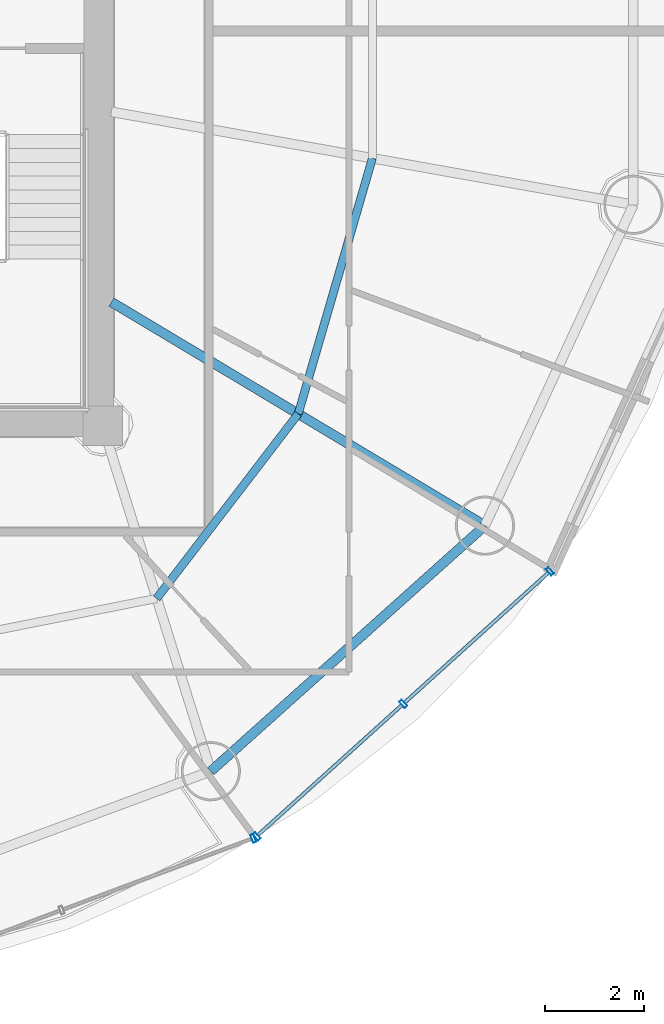
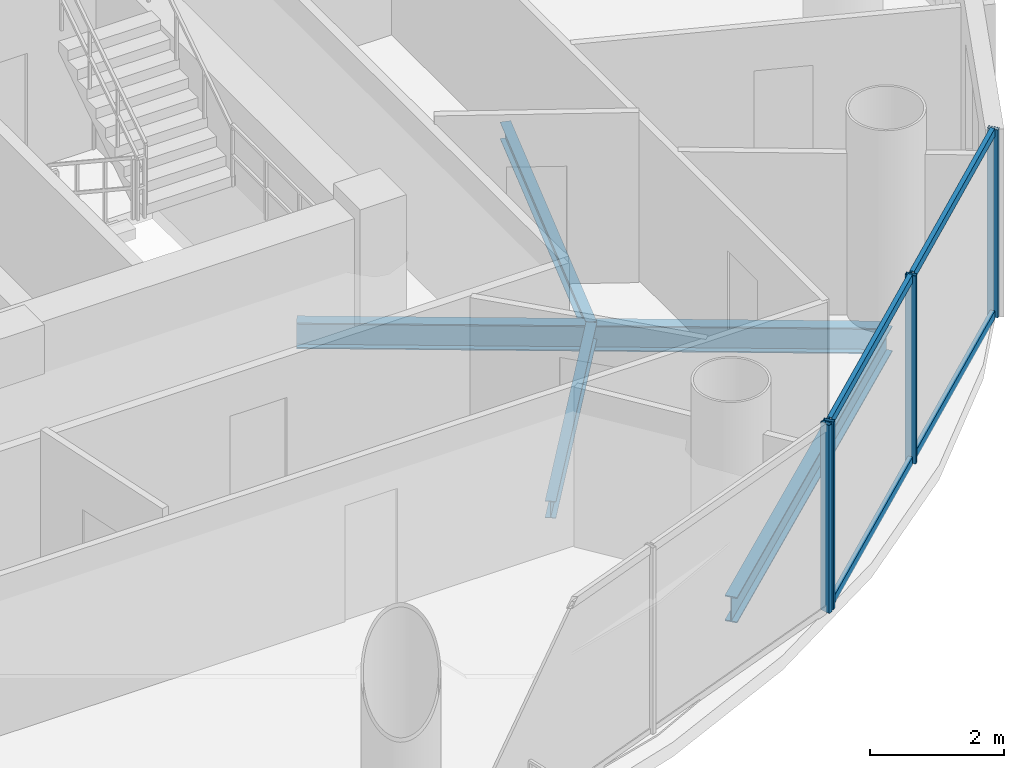
# One storey, part 10 of 26: 8 members, 4 beams, 2 elements without a shape of their own.
"""IFC4 building model written with IfcOpenShell, lengths in metres."""

from ifc_helpers import new_model, si_unit, direction, frame, origin, origin_2d, place, context, subcontext, project, spatial, hollow_rectangle, i_section, extrude, source, transform, mapped, material, material_profile, profile_set, type_object, element, aggregate, save


model = new_model("IFC4")

# Units and contexts
model_context = context("Model", 3, precision=1e-05, world=origin(), true_north=direction((-0.2419218956, 0.970295726276)))
body_context = subcontext(model_context, "Body", "Model", "MODEL_VIEW")
ifc_project = project(units=[si_unit("LENGTHUNIT", "METRE"), si_unit("AREAUNIT", "SQUARE_METRE"), si_unit("VOLUMEUNIT", "CUBIC_METRE"), si_unit("PLANEANGLEUNIT", "RADIAN"), si_unit("MASSUNIT", "GRAM", prefix="KILO")], contexts=[model_context])

# Site, building, storey
site_placement = place(None, origin())
site = spatial("IfcSite", under=ifc_project, at=site_placement, CompositionType="ELEMENT")
building_placement = place(site_placement, origin())
building = spatial("IfcBuilding", under=site, at=building_placement, Name="Cobrevalo Terracotta Tower", CompositionType="ELEMENT")
storey_placement = place(building_placement, frame((0.0, 0.0, 213.39990234375)))
storey = spatial("IfcBuildingStorey", under=building, at=storey_placement, Name="L56", CompositionType="ELEMENT", Elevation=213.39990234375)

# Beams
ifc_material_1 = material(Name="Steel S355", Category="steel")
ifc_material_profile_1 = material_profile(ifc_material_1, i_section(OverallWidth=0.194091796875, OverallDepth=0.468994140625, WebThickness=0.011474609375, FlangeThickness=0.0205078125, at=origin_2d()), Name="W 460x106")
ifc_profile_set_1 = profile_set([ifc_material_profile_1], Name="Steel S355")
beam_type_1 = type_object("IfcBeamType", Name="Structural Beam W 460x106 (Steel S355)", PredefinedType="BEAM", material=ifc_profile_set_1)
beam_1_placement = place(storey_placement, frame((54.754150390625, 16.77197265625, -0.49951171875), z_axis=(-0.858046392192, 0.513572184651, 0.0), x_axis=(-0.513572184651, -0.858046392192, 0.0)))
element("IfcBeam", 1, at=beam_1_placement, inside=storey, type_object=beam_type_1, Name="L56 radial floor girder 15", PredefinedType="BEAM", context=body_context, shape_type="SweptSolid", body=[
    extrude(i_section(OverallWidth=0.194091796875, OverallDepth=0.468994140625, WebThickness=0.011474609375, FlangeThickness=0.0205078125, at=origin_2d()), origin(), (0.0, 0.0, 1.0), 8.827392578125),
])
ifc_material_profile_2 = material_profile(ifc_material_1, i_section(OverallWidth=0.1650390625, OverallDepth=0.31005859375, WebThickness=0.005859375, FlangeThickness=0.009765625, at=origin_2d()), Name="W 310x38.7")
ifc_profile_set_2 = profile_set([ifc_material_profile_2], Name="Steel S355")
beam_type_2 = type_object("IfcBeamType", Name="Structural Joist W 310x38.7 (Steel S355)", PredefinedType="JOIST", material=ifc_profile_set_2)
beam_2_placement = place(storey_placement, frame((48.097412109375, 15.2958984375, -0.419921875), z_axis=(0.608464146296, 0.793581364872, 0.0), x_axis=(-0.793581364872, 0.608464146296, 0.0)))
element("IfcBeam", 2, at=beam_2_placement, inside=storey, type_object=beam_type_2, Name="L56 circumferential secondary floor joist 14", PredefinedType="JOIST", context=body_context, shape_type="SweptSolid", body=[
    extrude(i_section(OverallWidth=0.1650390625, OverallDepth=0.31005859375, WebThickness=0.005859375, FlangeThickness=0.009765625, at=origin_2d()), origin(), (0.0, 0.0, 1.0), 4.716064453125),
])
beam_3_placement = place(storey_placement, frame((50.967041015625, 19.03857421875, -0.419921875), z_axis=(0.278757705995, 0.960361463902, 0.0), x_axis=(-0.960361463902, 0.278757705995, 0.0)))
element("IfcBeam", 3, at=beam_3_placement, inside=storey, type_object=beam_type_2, Name="L56 circumferential secondary floor joist 15", PredefinedType="JOIST", context=body_context, shape_type="SweptSolid", body=[
    extrude(i_section(OverallWidth=0.1650390625, OverallDepth=0.31005859375, WebThickness=0.005859375, FlangeThickness=0.009765625, at=origin_2d()), origin(), (0.0, 0.0, 1.0), 5.396728515625),
])
ifc_material_profile_3 = material_profile(ifc_material_1, i_section(OverallWidth=0.194091796875, OverallDepth=0.468994140625, WebThickness=0.011474609375, FlangeThickness=0.0205078125, at=origin_2d()), Name="W 460x106")
ifc_profile_set_3 = profile_set([ifc_material_profile_3], Name="Steel S355")
beam_type_3 = type_object("IfcBeamType", Name="Structural Spandrel W 460x106 (Steel S355)", PredefinedType="SPANDREL", material=ifc_profile_set_3)
beam_4_placement = place(storey_placement, frame((49.19482421875, 11.7919921875, -0.49951171875), z_axis=(0.744851930997, 0.667229796165, 0.0), x_axis=(-0.667229796165, 0.744851930997, 0.0)))
element("IfcBeam", 4, at=beam_4_placement, inside=storey, type_object=beam_type_3, Name="L56 perimeter ring spandrel 14", PredefinedType="SPANDREL", context=body_context, shape_type="SweptSolid", body=[
    extrude(i_section(OverallWidth=0.194091796875, OverallDepth=0.468994140625, WebThickness=0.011474609375, FlangeThickness=0.0205078125, at=origin_2d()), origin(), (0.0, 0.0, 1.0), 7.463623046875),
])

# Curtain wall, members
ifc_material_2 = material(Name="Anodized aluminium", Category="aluminium")
curtain_wall_type = type_object("IfcCurtainWallType", Name="Mid-tower high-wind unitised curtain wall CW-U2", PredefinedType="NOTDEFINED", material=ifc_material_2)
curtain_wall_1_placement = place(storey_placement, origin())
curtain_wall_1 = element("IfcCurtainWall", 5, at=curtain_wall_1_placement, inside=storey, type_object=curtain_wall_type, Name="L56 curtain wall CW-L56-S14", PredefinedType="NOTDEFINED")
ifc_material_profile_4 = material_profile(ifc_material_2, hollow_rectangle(XDim=0.074951171875, YDim=0.14990234375, WallThickness=0.00439453125, at=origin_2d()), Name="CWT 75x150")
ifc_profile_set_4 = profile_set([ifc_material_profile_4], Name="Anodized aluminium")
member_type_1 = type_object("IfcMemberType", Name="Tower unitised aluminium transom 75x150", PredefinedType="USERDEFINED", material=ifc_profile_set_4)
shared_shape_1 = source(origin(), body_context, "Body", "SweptSolid", [
    extrude(hollow_rectangle(XDim=0.074951171875, YDim=0.14990234375, WallThickness=0.00439453125, at=origin_2d()), origin(), (0.0, 0.0, 1.0), 3.927490234375),
])
member_1_placement = place(storey_placement, frame((53.127685546875, 13.185302734375, 0.050048828125), z_axis=(0.741975952623, 0.670426495396, 0.0), x_axis=(-0.670426495396, 0.741975952623, 0.0)))
member_1 = element("IfcMember", 6, at=member_1_placement, type_object=member_type_1, Name="CW-L56-S14 transom B02-T1", ObjectType="TRANSOM", PredefinedType="USERDEFINED", context=body_context, shape_type="MappedRepresentation", body=[
    mapped(shared_shape_1, transform((0.0, 0.0, 0.0), scale=1.0)),
])
member_2_placement = place(storey_placement, frame((53.127685546875, 13.185302734375, 3.385009765625), z_axis=(0.741975952623, 0.670426495396, 0.0), x_axis=(-0.670426495396, 0.741975952623, 0.0)))
member_2 = element("IfcMember", 7, at=member_2_placement, type_object=member_type_1, Name="CW-L56-S14 transom B02-T2", ObjectType="TRANSOM", PredefinedType="USERDEFINED", context=body_context, shape_type="MappedRepresentation", body=[
    mapped(shared_shape_1, transform((0.0, 0.0, 0.0), scale=1.0)),
])
shared_shape_2 = source(origin(), body_context, "Body", "SweptSolid", [
    extrude(hollow_rectangle(XDim=0.074951171875, YDim=0.14990234375, WallThickness=0.00439453125, at=origin_2d()), origin(), (0.0, 0.0, 1.0), 3.927734375),
])
member_3_placement = place(storey_placement, frame((50.154052734375, 10.49853515625, 0.050048828125), z_axis=(0.742003891138, 0.670395573923, 0.0), x_axis=(-0.670395573923, 0.742003891138, 0.0)))
member_3 = element("IfcMember", 8, at=member_3_placement, type_object=member_type_1, Name="CW-L56-S14 transom B01-T1", ObjectType="TRANSOM", PredefinedType="USERDEFINED", context=body_context, shape_type="MappedRepresentation", body=[
    mapped(shared_shape_2, transform((0.0, 0.0, 0.0), scale=1.0)),
])
member_4_placement = place(storey_placement, frame((50.154052734375, 10.49853515625, 3.385009765625), z_axis=(0.742003891138, 0.670395573923, 0.0), x_axis=(-0.670395573923, 0.742003891138, 0.0)))
member_4 = element("IfcMember", 9, at=member_4_placement, type_object=member_type_1, Name="CW-L56-S14 transom B01-T2", ObjectType="TRANSOM", PredefinedType="USERDEFINED", context=body_context, shape_type="MappedRepresentation", body=[
    mapped(shared_shape_2, transform((0.0, 0.0, 0.0), scale=1.0)),
])

# Curtain wall, member
curtain_wall_2_placement = place(storey_placement, origin())
curtain_wall_2 = element("IfcCurtainWall", 10, at=curtain_wall_2_placement, inside=storey, type_object=curtain_wall_type, Name="L56 curtain wall CW-L56-S13", PredefinedType="NOTDEFINED")
ifc_material_profile_5 = material_profile(ifc_material_2, hollow_rectangle(XDim=0.070068359375, YDim=0.169921875, WallThickness=0.00439453125, at=origin_2d()), Name="CWM 70x170")
ifc_profile_set_5 = profile_set([ifc_material_profile_5], Name="Anodized aluminium")
member_type_2 = type_object("IfcMemberType", Name="Upper tower unitised mullion 70x170", PredefinedType="MULLION", material=ifc_profile_set_5)
shared_shape_3 = source(origin(), body_context, "Body", "SweptSolid", [
    extrude(hollow_rectangle(XDim=0.070068359375, YDim=0.169921875, WallThickness=0.00439453125, at=origin_2d()), origin(), (0.0, 0.0, 1.0), 3.43505859375),
])
member_5_placement = place(storey_placement, frame((50.057373046875, 10.430908203125, 0.0), z_axis=(0.0, 0.0, 1.0), x_axis=(0.936556004584, 0.350517974259, 0.0)))
member_5 = element("IfcMember", 11, at=member_5_placement, type_object=member_type_2, Name="CW-L56-S13 vertical mullion 03", PredefinedType="MULLION", context=body_context, shape_type="MappedRepresentation", body=[
    mapped(shared_shape_3, transform((0.0, 0.0, 0.0), scale=1.0)),
])
aggregate(curtain_wall_2, [member_5])

# Member
member_6_placement = place(storey_placement, frame((50.12451171875, 10.471923828125, 0.0), z_axis=(0.0, 0.0, 1.0), x_axis=(0.741987542015, 0.670413668935, 0.0)))
member_6 = element("IfcMember", 12, at=member_6_placement, type_object=member_type_2, Name="CW-L56-S14 vertical mullion 01", PredefinedType="MULLION", context=body_context, shape_type="MappedRepresentation", body=[
    mapped(shared_shape_3, transform((0.0, 0.0, 0.0), scale=1.0)),
])

member_7_placement = place(storey_placement, frame((53.097900390625, 13.158447265625, 0.0), z_axis=(0.0, 0.0, 1.0), x_axis=(0.741987542015, 0.670413668935, 0.0)))
member_7 = element("IfcMember", 13, at=member_7_placement, type_object=member_type_2, Name="CW-L56-S14 vertical mullion 02", PredefinedType="MULLION", context=body_context, shape_type="MappedRepresentation", body=[
    mapped(shared_shape_3, transform((0.0, 0.0, 0.0), scale=1.0)),
])

member_8_placement = place(storey_placement, frame((56.071533203125, 15.84521484375, 0.0), z_axis=(0.0, 0.0, 1.0), x_axis=(0.741987542015, 0.670413668935, 0.0)))
member_8 = element("IfcMember", 14, at=member_8_placement, type_object=member_type_2, Name="CW-L56-S14 vertical mullion 03", PredefinedType="MULLION", context=body_context, shape_type="MappedRepresentation", body=[
    mapped(shared_shape_3, transform((0.0, 0.0, 0.0), scale=1.0)),
])

aggregate(curtain_wall_1, [member_6, member_7, member_8, member_3, member_4, member_1, member_2])

save(model, "model.ifc")
